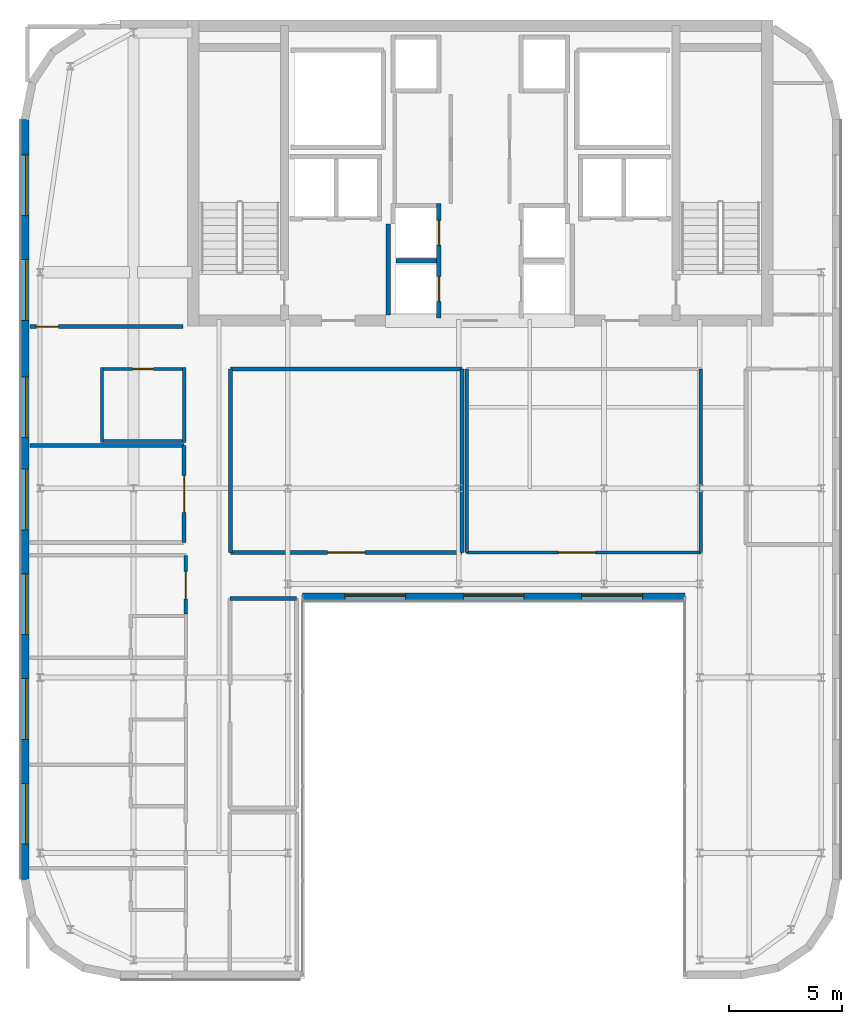
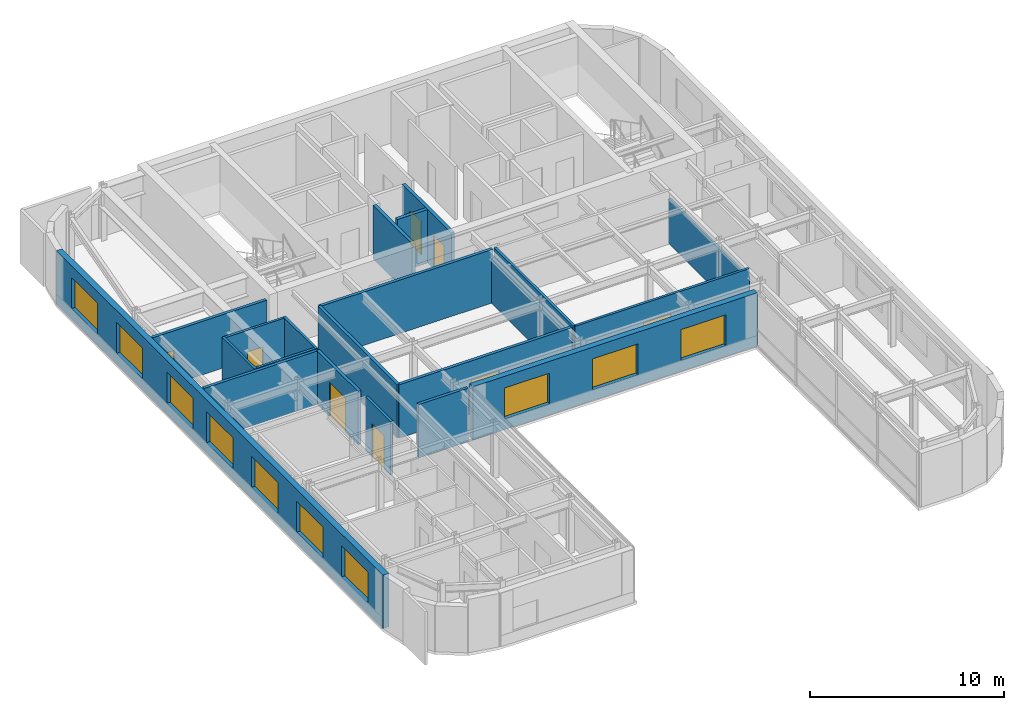
# One storey, part 14 of 20: 21 walls, 10 windows, 8 doors, 18 openings.
"""IFC4 building model written with IfcOpenShell, lengths in metres."""

from ifc_helpers import new_model, si_unit, direction, frame, frame_2d, origin, place, context, subcontext, project, spatial, rectangle, extrude, source, transform, mapped, material, layer, layer_set, type_object, type_shapes, element, fill, save


model = new_model("IFC4")

# Units and contexts
model_context = context("Model", 3, precision=1e-05, world=origin(), true_north=direction((0.0, 1.0)))
body_context = subcontext(model_context, "Body", "Model", "MODEL_VIEW")
ifc_project = project(units=[si_unit("LENGTHUNIT", "METRE"), si_unit("AREAUNIT", "SQUARE_METRE"), si_unit("VOLUMEUNIT", "CUBIC_METRE"), si_unit("PLANEANGLEUNIT", "RADIAN"), si_unit("MASSUNIT", "GRAM", prefix="KILO")], contexts=[model_context])

# Site, building, storey
site_placement = place(None, origin())
site = spatial("IfcSite", under=ifc_project, at=site_placement, CompositionType="ELEMENT")
building_placement = place(site_placement, origin())
building = spatial("IfcBuilding", under=site, at=building_placement, Name="Tolvann Quenvar Hotel", CompositionType="ELEMENT")
storey_placement = place(building_placement, frame((0.0, 0.0, 248.75)))
storey = spatial("IfcBuildingStorey", under=building, at=storey_placement, Name="L66", CompositionType="ELEMENT", Elevation=248.75)

# Wall, openings, windows
ifc_material_1 = material(Name="Kiln-fired red and buff architectural clay brickwork and terracotta masonry", Category="masonry")
ifc_layer_1 = layer(ifc_material_1, 0.35009765625)
ifc_layer_set_1 = layer_set([ifc_layer_1], Name="Kiln-fired red and buff architectural clay brickwork and terracotta masonry")
wall_type_1 = type_object("IfcWallType", Name="WALL_EXT_BRICK_350", PredefinedType="SOLIDWALL", material=ifc_layer_set_1)
wall_1_placement = place(storey_placement, frame((15.110107421875, 19.574951171875, 0.0), z_axis=(0.0, 0.0, 1.0), x_axis=(1.0, 0.0, 0.0)))
wall_1 = element("IfcWall", 1, at=wall_1_placement, inside=storey, type_object=wall_type_1, Name="Exterior Chicago Brick Wall L66-E06", PredefinedType="SOLIDWALL", context=body_context, shape_type="SweptSolid", body=[
    extrude(rectangle(XDim=16.97998046875, YDim=0.35009765625, at=frame_2d((8.489990234375, 0.0))), origin(), (0.0, 0.0, 1.0), 3.3701171875),
])
opening_1_placement = place(wall_1_placement, frame((1.8798828125, 0.0, 0.679931640625)))
opening_1 = element("IfcOpeningElement", 2, at=opening_1_placement, cuts=wall_1, Name="Opening W-04", PredefinedType="OPENING", context=body_context, shape_type="SweptSolid", body=[
    extrude(rectangle(XDim=2.699951171875, YDim=1.949951171875, at=frame_2d((1.35009765625, 0.97509765625))), frame((0.0, 0.18505859375, 0.0), z_axis=(0.0, -1.0, 0.0), x_axis=(1.0, 0.0, 0.0)), (0.0, 0.0, 1.0), 0.3701171875),
])
opening_2_placement = place(wall_1_placement, frame((7.139892578125, 0.0, 0.679931640625)))
opening_2 = element("IfcOpeningElement", 3, at=opening_2_placement, cuts=wall_1, Name="Opening W-04", PredefinedType="OPENING", context=body_context, shape_type="SweptSolid", body=[
    extrude(rectangle(XDim=2.699951171875, YDim=1.949951171875, at=frame_2d((1.35009765625, 0.97509765625))), frame((0.0, 0.18505859375, 0.0), z_axis=(0.0, -1.0, 0.0), x_axis=(1.0, 0.0, 0.0)), (0.0, 0.0, 1.0), 0.3701171875),
])
opening_3_placement = place(wall_1_placement, frame((12.39990234375, 0.0, 0.679931640625)))
opening_3 = element("IfcOpeningElement", 4, at=opening_3_placement, cuts=wall_1, Name="Opening W-04", PredefinedType="OPENING", context=body_context, shape_type="SweptSolid", body=[
    extrude(rectangle(XDim=2.699951171875, YDim=1.949951171875, at=frame_2d((1.35009765625, 0.97509765625))), frame((0.0, 0.18505859375, 0.0), z_axis=(0.0, -1.0, 0.0), x_axis=(1.0, 0.0, 0.0)), (0.0, 0.0, 1.0), 0.3701171875),
])
ifc_material_2 = material(Name="Thermally broken bronze-anodised aluminium frame with double low-E glazing", Category="aluminium")
window_type = type_object("IfcWindowType", Name="WIN_STE_2700x2150", PartitioningType="TRIPLE_PANEL_HORIZONTAL", PredefinedType="WINDOW", material=ifc_material_2)
shared_shape_1 = source(origin(), body_context, "Body", "SweptSolid", [
    extrude(rectangle(XDim=2.699951171875, YDim=1.949951171875, at=frame_2d((1.35009765625, 0.97509765625))), frame((0.0, 0.090087890625, 0.0), z_axis=(0.0, -1.0, 0.0), x_axis=(1.0, 0.0, 0.0)), (0.0, 0.0, 1.0), 0.06005859375),
])
type_shapes(window_type, [shared_shape_1])
window_1_placement = place(opening_1_placement, origin())
window_1 = element("IfcWindow", 5, at=window_1_placement, inside=storey, type_object=window_type, Name="Chicago Window W-04 (EW-L66-E06-W01)", OverallHeight=1.949951171875, OverallWidth=2.699951171875, PartitioningType="TRIPLE_PANEL_HORIZONTAL", PredefinedType="WINDOW", context=body_context, shape_type="MappedRepresentation", body=[
    mapped(shared_shape_1, transform((0.0, 0.0, 0.0), x_axis=(1.0, 0.0, 0.0), y_axis=(0.0, 1.0, 0.0), z_axis=(0.0, 0.0, 1.0), scale=1.0)),
])
fill(opening_1, window_1)
window_2_placement = place(opening_2_placement, origin())
window_2 = element("IfcWindow", 6, at=window_2_placement, inside=storey, type_object=window_type, Name="Chicago Window W-04 (EW-L66-E06-W02)", OverallHeight=1.949951171875, OverallWidth=2.699951171875, PartitioningType="TRIPLE_PANEL_HORIZONTAL", PredefinedType="WINDOW", context=body_context, shape_type="MappedRepresentation", body=[
    mapped(shared_shape_1, transform((0.0, 0.0, 0.0), x_axis=(1.0, 0.0, 0.0), y_axis=(0.0, 1.0, 0.0), z_axis=(0.0, 0.0, 1.0), scale=1.0)),
])
fill(opening_2, window_2)
window_3_placement = place(opening_3_placement, origin())
window_3 = element("IfcWindow", 7, at=window_3_placement, inside=storey, type_object=window_type, Name="Chicago Window W-04 (EW-L66-E06-W03)", OverallHeight=1.949951171875, OverallWidth=2.699951171875, PartitioningType="TRIPLE_PANEL_HORIZONTAL", PredefinedType="WINDOW", context=body_context, shape_type="MappedRepresentation", body=[
    mapped(shared_shape_1, transform((0.0, 0.0, 0.0), x_axis=(1.0, 0.0, 0.0), y_axis=(0.0, 1.0, 0.0), z_axis=(0.0, 0.0, 1.0), scale=1.0)),
])
fill(opening_3, window_3)

wall_2_placement = place(storey_placement, frame((2.77490234375, 40.78271484375, 0.0), z_axis=(0.0, 0.0, 1.0), x_axis=(0.0, -1.0, 0.0)))
wall_2 = element("IfcWall", 8, at=wall_2_placement, inside=storey, type_object=wall_type_1, Name="Exterior Chicago Brick Wall L66-E23", PredefinedType="SOLIDWALL", context=body_context, shape_type="SweptSolid", body=[
    extrude(rectangle(XDim=33.765625, YDim=0.35009765625, at=frame_2d((16.8828125, 0.0))), origin(), (0.0, 0.0, 1.0), 3.3701171875),
])
opening_4_placement = place(wall_2_placement, frame((1.575927734375, 0.0, 0.679931640625)))
opening_4 = element("IfcOpeningElement", 9, at=opening_4_placement, cuts=wall_2, Name="Opening W-04", PredefinedType="OPENING", context=body_context, shape_type="SweptSolid", body=[
    extrude(rectangle(XDim=2.699951171875, YDim=1.949951171875, at=frame_2d((1.35009765625, 0.97509765625))), frame((0.0, 0.18505859375, 0.0), z_axis=(0.0, -1.0, 0.0), x_axis=(1.0, 0.0, 0.0)), (0.0, 0.0, 1.0), 0.3701171875),
])
opening_5_placement = place(wall_2_placement, frame((6.22802734375, 0.0, 0.679931640625)))
opening_5 = element("IfcOpeningElement", 10, at=opening_5_placement, cuts=wall_2, Name="Opening W-04", PredefinedType="OPENING", context=body_context, shape_type="SweptSolid", body=[
    extrude(rectangle(XDim=2.699951171875, YDim=1.949951171875, at=frame_2d((1.35009765625, 0.97509765625))), frame((0.0, 0.18505859375, 0.0), z_axis=(0.0, -1.0, 0.0), x_axis=(1.0, 0.0, 0.0)), (0.0, 0.0, 1.0), 0.3701171875),
])
opening_6_placement = place(wall_2_placement, frame((11.430908203125, 0.0, 0.679931640625)))
opening_6 = element("IfcOpeningElement", 11, at=opening_6_placement, cuts=wall_2, Name="Opening W-04", PredefinedType="OPENING", context=body_context, shape_type="SweptSolid", body=[
    extrude(rectangle(XDim=2.699951171875, YDim=1.949951171875, at=frame_2d((1.35009765625, 0.97509765625))), frame((0.0, 0.18505859375, 0.0), z_axis=(0.0, -1.0, 0.0), x_axis=(1.0, 0.0, 0.0)), (0.0, 0.0, 1.0), 0.3701171875),
])
opening_7_placement = place(wall_2_placement, frame((15.532958984375, 0.0, 0.679931640625)))
opening_7 = element("IfcOpeningElement", 12, at=opening_7_placement, cuts=wall_2, Name="Opening W-04", PredefinedType="OPENING", context=body_context, shape_type="SweptSolid", body=[
    extrude(rectangle(XDim=2.699951171875, YDim=1.949951171875, at=frame_2d((1.35009765625, 0.97509765625))), frame((0.0, 0.18505859375, 0.0), z_axis=(0.0, -1.0, 0.0), x_axis=(1.0, 0.0, 0.0)), (0.0, 0.0, 1.0), 0.3701171875),
])
opening_8_placement = place(wall_2_placement, frame((20.18505859375, 0.0, 0.679931640625)))
opening_8 = element("IfcOpeningElement", 13, at=opening_8_placement, cuts=wall_2, Name="Opening W-04", PredefinedType="OPENING", context=body_context, shape_type="SweptSolid", body=[
    extrude(rectangle(XDim=2.699951171875, YDim=1.949951171875, at=frame_2d((1.35009765625, 0.97509765625))), frame((0.0, 0.18505859375, 0.0), z_axis=(0.0, -1.0, 0.0), x_axis=(1.0, 0.0, 0.0)), (0.0, 0.0, 1.0), 0.3701171875),
])
opening_9_placement = place(wall_2_placement, frame((24.8369140625, 0.0, 0.679931640625)))
opening_9 = element("IfcOpeningElement", 14, at=opening_9_placement, cuts=wall_2, Name="Opening W-04", PredefinedType="OPENING", context=body_context, shape_type="SweptSolid", body=[
    extrude(rectangle(XDim=2.699951171875, YDim=1.949951171875, at=frame_2d((1.35009765625, 0.97509765625))), frame((0.0, 0.18505859375, 0.0), z_axis=(0.0, -1.0, 0.0), x_axis=(1.0, 0.0, 0.0)), (0.0, 0.0, 1.0), 0.3701171875),
])
opening_10_placement = place(wall_2_placement, frame((29.489013671875, 0.0, 0.679931640625)))
opening_10 = element("IfcOpeningElement", 15, at=opening_10_placement, cuts=wall_2, Name="Opening W-04", PredefinedType="OPENING", context=body_context, shape_type="SweptSolid", body=[
    extrude(rectangle(XDim=2.699951171875, YDim=1.949951171875, at=frame_2d((1.35009765625, 0.97509765625))), frame((0.0, 0.18505859375, 0.0), z_axis=(0.0, -1.0, 0.0), x_axis=(1.0, 0.0, 0.0)), (0.0, 0.0, 1.0), 0.3701171875),
])
window_4_placement = place(opening_4_placement, origin())
window_4 = element("IfcWindow", 16, at=window_4_placement, inside=storey, type_object=window_type, Name="Chicago Window W-04 (EW-L66-E23-W01)", OverallHeight=1.949951171875, OverallWidth=2.699951171875, PartitioningType="TRIPLE_PANEL_HORIZONTAL", PredefinedType="WINDOW", context=body_context, shape_type="MappedRepresentation", body=[
    mapped(shared_shape_1, transform((0.0, 0.0, 0.0), x_axis=(1.0, 0.0, 0.0), y_axis=(0.0, 1.0, 0.0), z_axis=(0.0, 0.0, 1.0), scale=1.0)),
])
fill(opening_4, window_4)
window_5_placement = place(opening_5_placement, origin())
window_5 = element("IfcWindow", 17, at=window_5_placement, inside=storey, type_object=window_type, Name="Chicago Window W-04 (EW-L66-E23-W02)", OverallHeight=1.949951171875, OverallWidth=2.699951171875, PartitioningType="TRIPLE_PANEL_HORIZONTAL", PredefinedType="WINDOW", context=body_context, shape_type="MappedRepresentation", body=[
    mapped(shared_shape_1, transform((0.0, 0.0, 0.0), x_axis=(1.0, 0.0, 0.0), y_axis=(0.0, 1.0, 0.0), z_axis=(0.0, 0.0, 1.0), scale=1.0)),
])
fill(opening_5, window_5)
window_6_placement = place(opening_6_placement, origin())
window_6 = element("IfcWindow", 18, at=window_6_placement, inside=storey, type_object=window_type, Name="Chicago Window W-04 (EW-L66-E23-W03)", OverallHeight=1.949951171875, OverallWidth=2.699951171875, PartitioningType="TRIPLE_PANEL_HORIZONTAL", PredefinedType="WINDOW", context=body_context, shape_type="MappedRepresentation", body=[
    mapped(shared_shape_1, transform((0.0, 0.0, 0.0), x_axis=(1.0, 0.0, 0.0), y_axis=(0.0, 1.0, 0.0), z_axis=(0.0, 0.0, 1.0), scale=1.0)),
])
fill(opening_6, window_6)
window_7_placement = place(opening_7_placement, origin())
window_7 = element("IfcWindow", 19, at=window_7_placement, inside=storey, type_object=window_type, Name="Chicago Window W-04 (EW-L66-E23-W04)", OverallHeight=1.949951171875, OverallWidth=2.699951171875, PartitioningType="TRIPLE_PANEL_HORIZONTAL", PredefinedType="WINDOW", context=body_context, shape_type="MappedRepresentation", body=[
    mapped(shared_shape_1, transform((0.0, 0.0, 0.0), x_axis=(1.0, 0.0, 0.0), y_axis=(0.0, 1.0, 0.0), z_axis=(0.0, 0.0, 1.0), scale=1.0)),
])
fill(opening_7, window_7)
window_8_placement = place(opening_8_placement, origin())
window_8 = element("IfcWindow", 20, at=window_8_placement, inside=storey, type_object=window_type, Name="Chicago Window W-04 (EW-L66-E23-W05)", OverallHeight=1.949951171875, OverallWidth=2.699951171875, PartitioningType="TRIPLE_PANEL_HORIZONTAL", PredefinedType="WINDOW", context=body_context, shape_type="MappedRepresentation", body=[
    mapped(shared_shape_1, transform((0.0, 0.0, 0.0), x_axis=(1.0, 0.0, 0.0), y_axis=(0.0, 1.0, 0.0), z_axis=(0.0, 0.0, 1.0), scale=1.0)),
])
fill(opening_8, window_8)
window_9_placement = place(opening_9_placement, origin())
window_9 = element("IfcWindow", 21, at=window_9_placement, inside=storey, type_object=window_type, Name="Chicago Window W-04 (EW-L66-E23-W06)", OverallHeight=1.949951171875, OverallWidth=2.699951171875, PartitioningType="TRIPLE_PANEL_HORIZONTAL", PredefinedType="WINDOW", context=body_context, shape_type="MappedRepresentation", body=[
    mapped(shared_shape_1, transform((0.0, 0.0, 0.0), x_axis=(1.0, 0.0, 0.0), y_axis=(0.0, 1.0, 0.0), z_axis=(0.0, 0.0, 1.0), scale=1.0)),
])
fill(opening_9, window_9)
window_10_placement = place(opening_10_placement, origin())
window_10 = element("IfcWindow", 22, at=window_10_placement, inside=storey, type_object=window_type, Name="Chicago Window W-04 (EW-L66-E23-W07)", OverallHeight=1.949951171875, OverallWidth=2.699951171875, PartitioningType="TRIPLE_PANEL_HORIZONTAL", PredefinedType="WINDOW", context=body_context, shape_type="MappedRepresentation", body=[
    mapped(shared_shape_1, transform((0.0, 0.0, 0.0), x_axis=(1.0, 0.0, 0.0), y_axis=(0.0, 1.0, 0.0), z_axis=(0.0, 0.0, 1.0), scale=1.0)),
])
fill(opening_10, window_10)

# Wall
ifc_material_3 = material(Name="Acoustic twin-stud fire-rated gypsum plasterboard partition")
ifc_layer_2 = layer(ifc_material_3, 0.179931640625)
ifc_layer_set_2 = layer_set([ifc_layer_2], Name="Acoustic twin-stud fire-rated gypsum plasterboard partition")
wall_type_2 = type_object("IfcWallType", Name="WALL_PART_ACOUSTIC_180", PredefinedType="PARTITIONING", material=ifc_layer_set_2)
wall_3_placement = place(storey_placement, frame((11.8798828125, 19.5, 0.0), z_axis=(0.0, 0.0, 1.0), x_axis=(1.0, 0.0, 0.0)))
element("IfcWall", 23, at=wall_3_placement, inside=storey, type_object=wall_type_2, Name="Interior Partition PT-SPC-L66-POVL-N", PredefinedType="PARTITIONING", context=body_context, shape_type="SweptSolid", body=[
    extrude(rectangle(XDim=2.97021484375, YDim=0.179931640625, at=frame_2d((1.485107421875, 0.0))), origin(), (0.0, 0.0, 1.0), 3.3701171875),
])

# Wall, opening, door
wall_4_placement = place(storey_placement, frame((11.89990234375, 21.550048828125, 0.0), z_axis=(0.0, 0.0, 1.0), x_axis=(1.0, 0.0, 0.0)))
wall_4 = element("IfcWall", 24, at=wall_4_placement, inside=storey, type_object=wall_type_2, Name="Interior Partition PT-SPC-L66-PCNTRW-S", PredefinedType="PARTITIONING", context=body_context, shape_type="SweptSolid", body=[
    extrude(rectangle(XDim=10.300048828125, YDim=0.179931640625, at=frame_2d((5.14990234375, 0.0))), origin(), (0.0, 0.0, 1.0), 3.3701171875),
])
opening_11_placement = place(wall_4_placement, frame((4.324951171875, 0.0, 0.0)))
opening_11 = element("IfcOpeningElement", 25, at=opening_11_placement, cuts=wall_4, Name="Opening AD-01", PredefinedType="OPENING", context=body_context, shape_type="SweptSolid", body=[
    extrude(rectangle(XDim=1.64990234375, YDim=2.14990234375, at=frame_2d((0.824951171875, 1.074951171875))), frame((0.0, 0.10009765625, 0.0), z_axis=(0.0, -1.0, 0.0), x_axis=(1.0, 0.0, 0.0)), (0.0, 0.0, 1.0), 0.199951171875),
])
ifc_material_4 = material(Name="Solid-core American oak acoustic fire door leaf in steel frame", Category="steel")
door_type_1 = type_object("IfcDoorType", Name="DOOR_SALON_1650", OperationType="NOTDEFINED", PredefinedType="DOOR", material=ifc_material_4)
shared_shape_2 = source(origin(), body_context, "Body", "SweptSolid", [
    extrude(rectangle(XDim=1.64990234375, YDim=2.14990234375, at=frame_2d((0.824951171875, 1.074951171875))), frame((0.0, 0.02490234375, 0.0), z_axis=(0.0, -1.0, 0.0), x_axis=(1.0, 0.0, 0.0)), (0.0, 0.0, 1.0), 0.050048828125),
])
type_shapes(door_type_1, [shared_shape_2])
door_1_placement = place(opening_11_placement, origin())
door_1 = element("IfcDoor", 26, at=door_1_placement, inside=storey, type_object=door_type_1, Name="Interior Door DOOR-SPC-L66-PCNTRW", OperationType="DOUBLE_DOOR_SINGLE_SWING", OverallHeight=2.14990234375, OverallWidth=1.64990234375, PredefinedType="DOOR", context=body_context, shape_type="MappedRepresentation", body=[
    mapped(shared_shape_2, transform((0.0, 0.0, 0.0), x_axis=(1.0, 0.0, 0.0), y_axis=(0.0, 1.0, 0.0), z_axis=(0.0, 0.0, 1.0), scale=1.0)),
])
fill(opening_11, door_1)

# Walls
wall_5_placement = place(storey_placement, frame((11.89990234375, 29.699951171875, 0.0), z_axis=(0.0, 0.0, 1.0), x_axis=(1.0, 0.0, 0.0)))
element("IfcWall", 27, at=wall_5_placement, inside=storey, type_object=wall_type_2, Name="Interior Partition PT-SPC-L66-PCNTRW-N", PredefinedType="PARTITIONING", context=body_context, shape_type="SweptSolid", body=[
    extrude(rectangle(XDim=10.300048828125, YDim=0.179931640625, at=frame_2d((5.14990234375, 0.0))), origin(), (0.0, 0.0, 1.0), 3.3701171875),
])
wall_6_placement = place(storey_placement, frame((11.89990234375, 21.550048828125, 0.0), z_axis=(0.0, 0.0, 1.0), x_axis=(0.0, 1.0, 0.0)))
element("IfcWall", 28, at=wall_6_placement, inside=storey, type_object=wall_type_2, Name="Interior Partition PT-SPC-L66-PCNTRW-W", PredefinedType="PARTITIONING", context=body_context, shape_type="SweptSolid", body=[
    extrude(rectangle(XDim=8.14990234375, YDim=0.179931640625, at=frame_2d((4.074951171875, 0.0))), origin(), (0.0, 0.0, 1.0), 3.3701171875),
])
wall_7_placement = place(storey_placement, frame((22.199951171875, 21.550048828125, 0.0), z_axis=(0.0, 0.0, 1.0), x_axis=(0.0, 1.0, 0.0)))
element("IfcWall", 29, at=wall_7_placement, inside=storey, type_object=wall_type_2, Name="Interior Partition PT-SPC-L66-PCNTRW-E", PredefinedType="PARTITIONING", context=body_context, shape_type="SweptSolid", body=[
    extrude(rectangle(XDim=8.14990234375, YDim=0.179931640625, at=frame_2d((4.074951171875, 0.0))), origin(), (0.0, 0.0, 1.0), 2.826904296875),
])
wall_8_placement = place(storey_placement, frame((3.0048828125, 26.300048828125, 0.0), z_axis=(0.0, 0.0, 1.0), x_axis=(1.0, 0.0, 0.0)))
element("IfcWall", 30, at=wall_8_placement, inside=storey, type_object=wall_type_2, Name="Interior Partition PT-SPC-L66-WCLNG-N", PredefinedType="PARTITIONING", context=body_context, shape_type="SweptSolid", body=[
    extrude(rectangle(XDim=6.84521484375, YDim=0.179931640625, at=frame_2d((3.422607421875, 0.0))), origin(), (0.0, 0.0, 1.0), 3.3701171875),
])

# Wall, opening, door
wall_9_placement = place(storey_placement, frame((9.85009765625, 22.0, 0.0), z_axis=(0.0, 0.0, 1.0), x_axis=(0.0, 1.0, 0.0)))
wall_9 = element("IfcWall", 31, at=wall_9_placement, inside=storey, type_object=wall_type_2, Name="Interior Partition PT-SPC-L66-WCLNG-E", PredefinedType="PARTITIONING", context=body_context, shape_type="SweptSolid", body=[
    extrude(rectangle(XDim=4.300048828125, YDim=0.179931640625, at=frame_2d((2.14990234375, 0.0))), origin(), (0.0, 0.0, 1.0), 3.3701171875),
])
opening_12_placement = place(wall_9_placement, frame((1.324951171875, 0.0, 0.0)))
opening_12 = element("IfcOpeningElement", 32, at=opening_12_placement, cuts=wall_9, Name="Opening AD-01", PredefinedType="OPENING", context=body_context, shape_type="SweptSolid", body=[
    extrude(rectangle(XDim=1.64990234375, YDim=2.14990234375, at=frame_2d((0.824951171875, 1.074951171875))), frame((0.0, 0.10009765625, 0.0), z_axis=(0.0, -1.0, 0.0), x_axis=(1.0, 0.0, 0.0)), (0.0, 0.0, 1.0), 0.199951171875),
])
door_2_placement = place(opening_12_placement, origin())
door_2 = element("IfcDoor", 33, at=door_2_placement, inside=storey, type_object=door_type_1, Name="Interior Door DOOR-SPC-L66-WCLNG", OperationType="DOUBLE_DOOR_SINGLE_SWING", OverallHeight=2.14990234375, OverallWidth=1.64990234375, PredefinedType="DOOR", context=body_context, shape_type="MappedRepresentation", body=[
    mapped(shared_shape_2, transform((0.0, 0.0, 0.0), x_axis=(1.0, 0.0, 0.0), y_axis=(0.0, 1.0, 0.0), z_axis=(0.0, 0.0, 1.0), scale=1.0)),
])
fill(opening_12, door_2)

wall_10_placement = place(storey_placement, frame((3.0048828125, 31.580078125, 0.0), z_axis=(0.0, 0.0, 1.0), x_axis=(1.0, 0.0, 0.0)))
wall_10 = element("IfcWall", 34, at=wall_10_placement, inside=storey, type_object=wall_type_2, Name="Interior Partition PT-SPC-L66-SAL-ENT", PredefinedType="PARTITIONING", context=body_context, shape_type="SweptSolid", body=[
    extrude(rectangle(XDim=6.795166015625, YDim=0.179931640625, at=frame_2d((3.3974609375, 0.0))), origin(), (0.0, 0.0, 1.0), 3.3701171875),
])
opening_13_placement = place(wall_10_placement, frame((0.284912109375, 0.0, 0.0)))
opening_13 = element("IfcOpeningElement", 35, at=opening_13_placement, cuts=wall_10, Name="Opening SD-01", PredefinedType="OPENING", context=body_context, shape_type="SweptSolid", body=[
    extrude(rectangle(XDim=0.97998046875, YDim=2.1201171875, at=frame_2d((0.489990234375, 1.06005859375))), frame((0.0, 0.10009765625, 0.0), z_axis=(0.0, -1.0, 0.0), x_axis=(1.0, 0.0, 0.0)), (0.0, 0.0, 1.0), 0.199951171875),
])
door_type_2 = type_object("IfcDoorType", Name="DOOR_SUITE_980", OperationType="NOTDEFINED", PredefinedType="DOOR", material=ifc_material_4)
shared_shape_3 = source(origin(), body_context, "Body", "SweptSolid", [
    extrude(rectangle(XDim=0.97998046875, YDim=2.1201171875, at=frame_2d((0.489990234375, 1.06005859375))), frame((0.0, 0.02490234375, 0.0), z_axis=(0.0, -1.0, 0.0), x_axis=(1.0, 0.0, 0.0)), (0.0, 0.0, 1.0), 0.050048828125),
])
type_shapes(door_type_2, [shared_shape_3])
door_3_placement = place(opening_13_placement, origin())
door_3 = element("IfcDoor", 36, at=door_3_placement, inside=storey, type_object=door_type_2, Name="Interior Door DOOR-SPC-L66-SAL", OperationType="SINGLE_SWING_RIGHT", OverallHeight=2.1201171875, OverallWidth=0.97998046875, PredefinedType="DOOR", context=body_context, shape_type="MappedRepresentation", body=[
    mapped(shared_shape_3, transform((0.0, 0.0, 0.0), x_axis=(1.0, 0.0, 0.0), y_axis=(0.0, 1.0, 0.0), z_axis=(0.0, 0.0, 1.0), scale=1.0)),
])
fill(opening_13, door_3)

ifc_layer_3 = layer(ifc_material_3, 0.14990234375)
ifc_layer_set_3 = layer_set([ifc_layer_3], Name="Acoustic twin-stud fire-rated gypsum plasterboard partition")
wall_type_3 = type_object("IfcWallType", Name="WALL_PART_SUITE_150", PredefinedType="PARTITIONING", material=ifc_layer_set_3)
wall_11_placement = place(storey_placement, frame((9.929931640625, 18.81005859375, 0.0), z_axis=(0.0, 0.0, 1.0), x_axis=(0.0, 1.0, 0.0)))
wall_11 = element("IfcWall", 37, at=wall_11_placement, inside=storey, type_object=wall_type_3, Name="Interior Partition PT-SPC-L66-RM-PW04-ENT", PredefinedType="PARTITIONING", context=body_context, shape_type="SweptSolid", body=[
    extrude(rectangle(XDim=2.60986328125, YDim=0.14990234375, at=frame_2d((1.304931640625, 0.0))), origin(), (0.0, 0.0, 1.0), 3.3701171875),
])
opening_14_placement = place(wall_11_placement, frame((0.675048828125, 0.0, 0.0)))
opening_14 = element("IfcOpeningElement", 38, at=opening_14_placement, cuts=wall_11, Name="Opening SD-02", PredefinedType="OPENING", context=body_context, shape_type="SweptSolid", body=[
    extrude(rectangle(XDim=1.219970703125, YDim=2.080078125, at=frame_2d((0.60986328125, 1.0400390625))), frame((0.0, 0.0849609375, 0.0), z_axis=(0.0, -1.0, 0.0), x_axis=(1.0, 0.0, 0.0)), (0.0, 0.0, 1.0), 0.169921875),
])
door_type_3 = type_object("IfcDoorType", Name="DOOR_VIP_1220", OperationType="NOTDEFINED", PredefinedType="DOOR", material=ifc_material_4)
shared_shape_4 = source(origin(), body_context, "Body", "SweptSolid", [
    extrude(rectangle(XDim=1.219970703125, YDim=2.080078125, at=frame_2d((0.60986328125, 1.0400390625))), frame((0.0, 0.02490234375, 0.0), z_axis=(0.0, -1.0, 0.0), x_axis=(1.0, 0.0, 0.0)), (0.0, 0.0, 1.0), 0.050048828125),
])
type_shapes(door_type_3, [shared_shape_4])
door_4_placement = place(opening_14_placement, origin())
door_4 = element("IfcDoor", 39, at=door_4_placement, inside=storey, type_object=door_type_3, Name="Interior Door DOOR-SPC-L66-RM-PW04", OperationType="SINGLE_SWING_RIGHT", OverallHeight=2.080078125, OverallWidth=1.219970703125, PredefinedType="DOOR", context=body_context, shape_type="MappedRepresentation", body=[
    mapped(shared_shape_4, transform((0.0, 0.0, 0.0), x_axis=(1.0, 0.0, 0.0), y_axis=(0.0, 1.0, 0.0), z_axis=(0.0, 0.0, 1.0), scale=1.0)),
])
fill(opening_14, door_4)

wall_12_placement = place(storey_placement, frame((22.39990234375, 21.550048828125, 0.0), z_axis=(0.0, 0.0, 1.0), x_axis=(1.0, 0.0, 0.0)))
wall_12 = element("IfcWall", 40, at=wall_12_placement, inside=storey, type_object=wall_type_3, Name="Interior Partition PT-SPC-L66-PCNTRE-S", PredefinedType="PARTITIONING", context=body_context, shape_type="SweptSolid", body=[
    extrude(rectangle(XDim=10.400146484375, YDim=0.14990234375, at=frame_2d((5.2001953125, 0.0))), origin(), (0.0, 0.0, 1.0), 3.3701171875),
])
opening_15_placement = place(wall_12_placement, frame((4.074951171875, 0.0, 0.0)))
opening_15 = element("IfcOpeningElement", 41, at=opening_15_placement, cuts=wall_12, Name="Opening AD-01", PredefinedType="OPENING", context=body_context, shape_type="SweptSolid", body=[
    extrude(rectangle(XDim=1.64990234375, YDim=2.14990234375, at=frame_2d((0.824951171875, 1.074951171875))), frame((0.0, 0.0849609375, 0.0), z_axis=(0.0, -1.0, 0.0), x_axis=(1.0, 0.0, 0.0)), (0.0, 0.0, 1.0), 0.169921875),
])
door_5_placement = place(opening_15_placement, origin())
door_5 = element("IfcDoor", 42, at=door_5_placement, inside=storey, type_object=door_type_1, Name="Interior Door DOOR-SPC-L66-PCNTRE", OperationType="DOUBLE_DOOR_SINGLE_SWING", OverallHeight=2.14990234375, OverallWidth=1.64990234375, PredefinedType="DOOR", context=body_context, shape_type="MappedRepresentation", body=[
    mapped(shared_shape_2, transform((0.0, 0.0, 0.0), x_axis=(1.0, 0.0, 0.0), y_axis=(0.0, 1.0, 0.0), z_axis=(0.0, 0.0, 1.0), scale=1.0)),
])
fill(opening_15, door_5)

# Walls
wall_13_placement = place(storey_placement, frame((22.39990234375, 21.550048828125, 0.0), z_axis=(0.0, 0.0, 1.0), x_axis=(0.0, 1.0, 0.0)))
element("IfcWall", 43, at=wall_13_placement, inside=storey, type_object=wall_type_3, Name="Interior Partition PT-SPC-L66-PCNTRE-W", PredefinedType="PARTITIONING", context=body_context, shape_type="SweptSolid", body=[
    extrude(rectangle(XDim=8.14990234375, YDim=0.14990234375, at=frame_2d((4.074951171875, 0.0))), origin(), (0.0, 0.0, 1.0), 3.3701171875),
])
wall_14_placement = place(storey_placement, frame((32.800048828125, 21.550048828125, 0.0), z_axis=(0.0, 0.0, 1.0), x_axis=(0.0, 1.0, 0.0)))
element("IfcWall", 44, at=wall_14_placement, inside=storey, type_object=wall_type_3, Name="Interior Partition PT-SPC-L66-PCNTRE-E", PredefinedType="PARTITIONING", context=body_context, shape_type="SweptSolid", body=[
    extrude(rectangle(XDim=8.14990234375, YDim=0.14990234375, at=frame_2d((4.074951171875, 0.0))), origin(), (0.0, 0.0, 1.0), 2.826904296875),
])
wall_15_placement = place(storey_placement, frame((6.1298828125, 26.5, 0.0), z_axis=(0.0, 0.0, 1.0), x_axis=(1.0, 0.0, 0.0)))
element("IfcWall", 45, at=wall_15_placement, inside=storey, type_object=wall_type_3, Name="Interior Partition PT-SPC-L66-WCA-S", PredefinedType="PARTITIONING", context=body_context, shape_type="SweptSolid", body=[
    extrude(rectangle(XDim=3.7900390625, YDim=0.14990234375, at=frame_2d((1.89501953125, 0.0))), origin(), (0.0, 0.0, 1.0), 3.3701171875),
])

# Wall, opening, door
wall_16_placement = place(storey_placement, frame((6.1298828125, 29.699951171875, 0.0), z_axis=(0.0, 0.0, 1.0), x_axis=(1.0, 0.0, 0.0)))
wall_16 = element("IfcWall", 46, at=wall_16_placement, inside=storey, type_object=wall_type_3, Name="Interior Partition PT-SPC-L66-WCA-N", PredefinedType="PARTITIONING", context=body_context, shape_type="SweptSolid", body=[
    extrude(rectangle(XDim=3.7900390625, YDim=0.14990234375, at=frame_2d((1.89501953125, 0.0))), origin(), (0.0, 0.0, 1.0), 3.3701171875),
])
opening_16_placement = place(wall_16_placement, frame((1.43505859375, 0.0, 0.0)))
opening_16 = element("IfcOpeningElement", 47, at=opening_16_placement, cuts=wall_16, Name="Opening WD-01", PredefinedType="OPENING", context=body_context, shape_type="SweptSolid", body=[
    extrude(rectangle(XDim=0.919921875, YDim=2.010009765625, at=frame_2d((0.4599609375, 1.0048828125))), frame((0.0, 0.0849609375, 0.0), z_axis=(0.0, -1.0, 0.0), x_axis=(1.0, 0.0, 0.0)), (0.0, 0.0, 1.0), 0.169921875),
])
door_type_4 = type_object("IfcDoorType", Name="DOOR_WC_920", OperationType="NOTDEFINED", PredefinedType="DOOR", material=ifc_material_4)
shared_shape_5 = source(origin(), body_context, "Body", "SweptSolid", [
    extrude(rectangle(XDim=0.919921875, YDim=2.010009765625, at=frame_2d((0.4599609375, 1.0048828125))), frame((0.0, 0.02490234375, 0.0), z_axis=(0.0, -1.0, 0.0), x_axis=(1.0, 0.0, 0.0)), (0.0, 0.0, 1.0), 0.050048828125),
])
type_shapes(door_type_4, [shared_shape_5])
door_6_placement = place(opening_16_placement, origin())
door_6 = element("IfcDoor", 48, at=door_6_placement, inside=storey, type_object=door_type_4, Name="Interior Door DOOR-SPC-L66-WCA", OperationType="SINGLE_SWING_LEFT", OverallHeight=2.010009765625, OverallWidth=0.919921875, PredefinedType="DOOR", context=body_context, shape_type="MappedRepresentation", body=[
    mapped(shared_shape_5, transform((0.0, 0.0, 0.0), x_axis=(1.0, 0.0, 0.0), y_axis=(0.0, 1.0, 0.0), z_axis=(0.0, 0.0, 1.0), scale=1.0)),
])
fill(opening_16, door_6)

# Walls
for number, where, z_axis, x_axis, name in (
    (49, (6.199951171875, 26.429931640625, 0.0), (0.0, 0.0, 1.0), (0.0, 1.0, 0.0), "Interior Partition PT-SPC-L66-WCA-W"),
    (50, (9.85009765625, 26.429931640625, 0.0), (0.0, 0.0, 1.0), (0.0, 1.0, 0.0), "Interior Partition PT-SPC-L66-WCA-E"),
):
    element("IfcWall", number, at=place(storey_placement, frame(where, z_axis=z_axis, x_axis=x_axis)), inside=storey, type_object=wall_type_3, Name=name, PredefinedType="PARTITIONING", context=body_context, shape_type="SweptSolid", body=[
        extrude(rectangle(XDim=3.340087890625, YDim=0.14990234375, at=frame_2d((1.669921875, 0.0))), origin(), (0.0, 0.0, 1.0), 3.3701171875),
    ])
ifc_material_5 = material(Name="Concrete N40 (40 MPa)", Category="concrete")
ifc_layer_4 = layer(ifc_material_5, 0.199951171875)
ifc_layer_set_4 = layer_set([ifc_layer_4], Name="Concrete N40 (40 MPa)")
wall_type_4 = type_object("IfcWallType", Name="WALL_SHAFT_200", PredefinedType="SOLIDWALL", material=ifc_layer_set_4)
wall_17_placement = place(storey_placement, frame((18.919921875, 32.10400390625, 0.0), z_axis=(0.0, 0.0, 1.0), x_axis=(0.0, 1.0, 0.0)))
element("IfcWall", 51, at=wall_17_placement, inside=storey, type_object=wall_type_4, Name="Firefighting Lobby W Inner Fire Wall (L66)", PredefinedType="SOLIDWALL", context=body_context, shape_type="SweptSolid", body=[
    extrude(rectangle(XDim=4.0458984375, YDim=0.199951171875, at=frame_2d((2.02294921875, 0.0))), origin(), (0.0, 0.0, 1.0), 3.3701171875),
])

# Wall, openings, doors
wall_18_placement = place(storey_placement, frame((21.169921875, 31.9599609375, 0.0), z_axis=(0.0, 0.0, 1.0), x_axis=(0.0, 1.0, 0.0)))
wall_18 = element("IfcWall", 52, at=wall_18_placement, inside=storey, type_object=wall_type_4, Name="Lift Bank E21.1C1 Hoistway Front Wall (L66)", PredefinedType="SOLIDWALL", context=body_context, shape_type="SweptSolid", body=[
    extrude(rectangle(XDim=5.080078125, YDim=0.199951171875, at=frame_2d((2.5400390625, 0.0))), origin(), (0.0, 0.0, 1.0), 3.3701171875),
])
opening_17_placement = place(wall_18_placement, frame((0.739990234375, 0.0, 0.0)))
opening_17 = element("IfcOpeningElement", 53, at=opening_17_placement, cuts=wall_18, Name="Opening LD-01", PredefinedType="OPENING", context=body_context, shape_type="SweptSolid", body=[
    extrude(rectangle(XDim=1.10009765625, YDim=2.1201171875, at=frame_2d((0.550048828125, 1.06005859375))), frame((0.0, 0.10986328125, 0.0), z_axis=(0.0, -1.0, 0.0), x_axis=(1.0, 0.0, 0.0)), (0.0, 0.0, 1.0), 0.219970703125),
])
opening_18_placement = place(wall_18_placement, frame((3.239990234375, 0.0, 0.0)))
opening_18 = element("IfcOpeningElement", 54, at=opening_18_placement, cuts=wall_18, Name="Opening LD-01", PredefinedType="OPENING", context=body_context, shape_type="SweptSolid", body=[
    extrude(rectangle(XDim=1.10009765625, YDim=2.1201171875, at=frame_2d((0.550048828125, 1.06005859375))), frame((0.0, 0.10986328125, 0.0), z_axis=(0.0, -1.0, 0.0), x_axis=(1.0, 0.0, 0.0)), (0.0, 0.0, 1.0), 0.219970703125),
])
ifc_material_6 = material(Name="Brushed 316 stainless steel automatic sliding lift landing door", Category="steel")
door_type_5 = type_object("IfcDoorType", Name="DOOR_LIFT_SLIDE_1100", OperationType="NOTDEFINED", PredefinedType="DOOR", material=ifc_material_6)
shared_shape_6 = source(origin(), body_context, "Body", "SweptSolid", [
    extrude(rectangle(XDim=1.10009765625, YDim=2.1201171875, at=frame_2d((0.550048828125, 1.06005859375))), frame((0.0, 0.02490234375, 0.0), z_axis=(0.0, -1.0, 0.0), x_axis=(1.0, 0.0, 0.0)), (0.0, 0.0, 1.0), 0.050048828125),
])
type_shapes(door_type_5, [shared_shape_6])
door_7_placement = place(opening_17_placement, origin())
door_7 = element("IfcDoor", 55, at=door_7_placement, inside=storey, type_object=door_type_5, Name="Lift PH-1 Sliding Landing Door (L66)", OperationType="SLIDING_TO_LEFT", OverallHeight=2.1201171875, OverallWidth=1.10009765625, PredefinedType="DOOR", context=body_context, shape_type="MappedRepresentation", body=[
    mapped(shared_shape_6, transform((0.0, 0.0, 0.0), x_axis=(1.0, 0.0, 0.0), y_axis=(0.0, 1.0, 0.0), z_axis=(0.0, 0.0, 1.0), scale=1.0)),
])
fill(opening_17, door_7)
door_8_placement = place(opening_18_placement, origin())
door_8 = element("IfcDoor", 56, at=door_8_placement, inside=storey, type_object=door_type_5, Name="Lift PH-2 Sliding Landing Door (L66)", OperationType="SLIDING_TO_RIGHT", OverallHeight=2.1201171875, OverallWidth=1.10009765625, PredefinedType="DOOR", context=body_context, shape_type="MappedRepresentation", body=[
    mapped(shared_shape_6, transform((0.0, 0.0, 0.0), x_axis=(1.0, 0.0, 0.0), y_axis=(0.0, 1.0, 0.0), z_axis=(0.0, 0.0, 1.0), scale=1.0)),
])
fill(opening_18, door_8)

# Wall
wall_19_placement = place(storey_placement, frame((19.27001953125, 34.5, 0.0), z_axis=(0.0, 0.0, 1.0), x_axis=(1.0, 0.0, 0.0)))
element("IfcWall", 57, at=wall_19_placement, inside=storey, type_object=wall_type_4, Name="Lift Bank E21.1C1 Divider Wall 1 (L66)", PredefinedType="SOLIDWALL", context=body_context, shape_type="SweptSolid", body=[
    extrude(rectangle(XDim=1.800048828125, YDim=0.199951171875, at=frame_2d((0.89990234375, 0.0))), origin(), (0.0, 0.0, 1.0), 3.3701171875),
])

save(model, "model.ifc")
